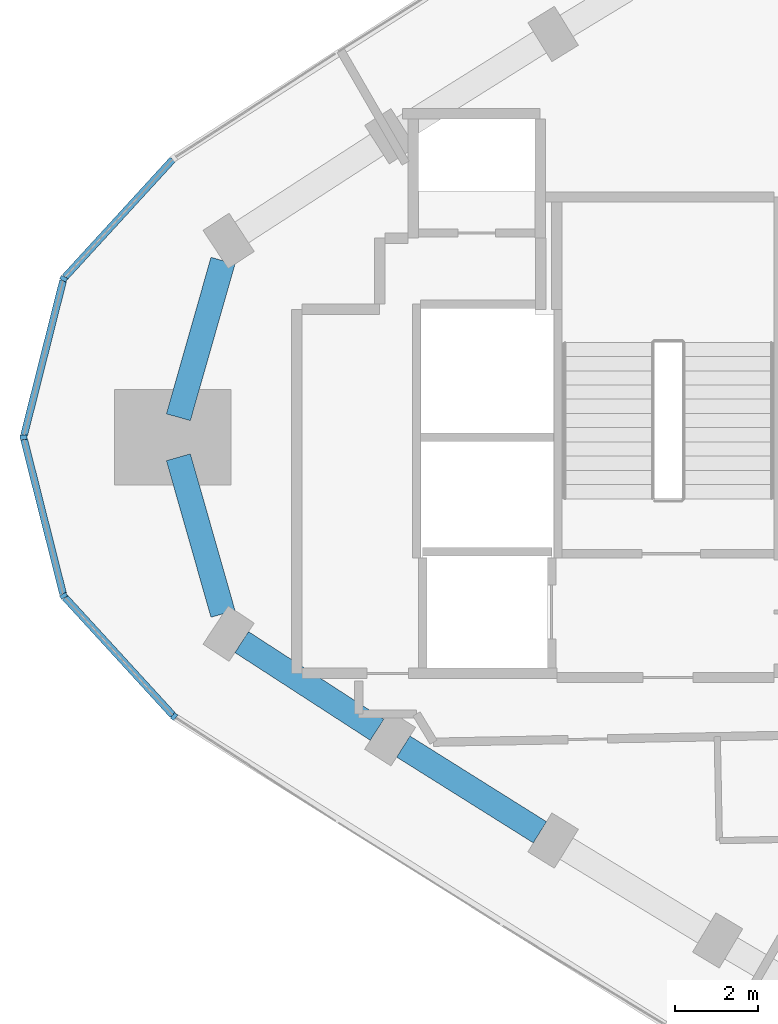
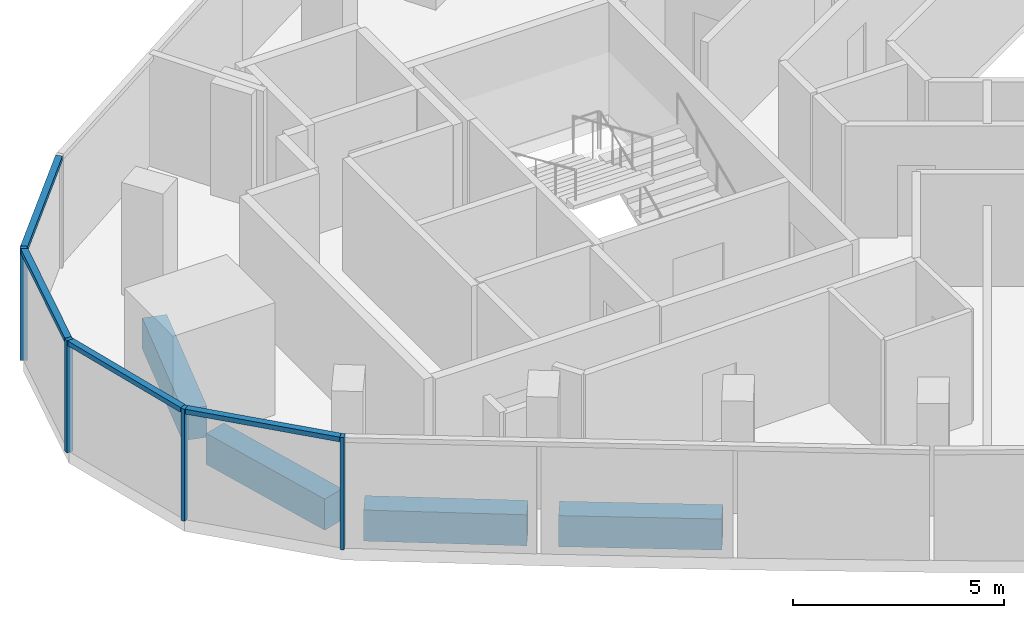
# One storey, part 2 of 11: 8 members, 4 beams, 2 elements without a shape of their own.
"""IFC4 building model written with IfcOpenShell, lengths in metres."""

import ifcopenshell
import ifcopenshell.guid

model = None  # the IFC model being written
_history = None  # IfcOwnerHistory: only IFC2X3 demands one
_inside = {}  # id of a spatial element -> (the spatial element, [elements in it])
_under = {}  # id of a project, library or spatial element -> (it, [spatial elements below it])
_declared = {}  # id of a project -> (the project, [libraries it declares])
_typed = {}  # id of a type object -> (the type object, [elements of that type])
_made_of = {}  # id of a material, layer set ... -> (it, [elements and type objects made of it])


def new_model(schema):
    """Start an empty IFC model of exactly this schema.

    Asked for "IFC4X3", IfcOpenShell would pick the latest addendum, in which some entities
    have other attributes; the version numbers below select the first issue.
    IFC2X3 requires an IfcOwnerHistory on every rooted entity: one is made here for all.
    """
    global model, _history
    if schema == "IFC4X3":
        model = ifcopenshell.file(schema_version=(4, 3, 0, 0))
    else:
        model = ifcopenshell.file(schema=schema)
    _inside.clear()
    _under.clear()
    _declared.clear()
    _typed.clear()
    _made_of.clear()
    _history = None
    if model.schema == "IFC2X3":
        org = make("IfcOrganization", Name="unknown")
        user = make(
            "IfcPersonAndOrganization",
            ThePerson=make("IfcPerson", FamilyName="unknown"),
            TheOrganization=org,
        )
        app = make(
            "IfcApplication",
            ApplicationDeveloper=org,
            Version="unknown",
            ApplicationFullName="unknown",
            ApplicationIdentifier="unknown",
        )
        _history = make(
            "IfcOwnerHistory",
            OwningUser=user,
            OwningApplication=app,
            ChangeAction="ADDED",
            CreationDate=0,
        )
    return model


def make(cls, **values):
    """One entity of the class cls with the attributes given. An attribute that is None is left unset."""
    return model.create_entity(
        cls, **{name: value for name, value in values.items() if value is not None}
    )


def rooted(cls, **values):
    """An entity with a GlobalId (a new one), such as an element, a storey or a relation."""
    return make(cls, GlobalId=ifcopenshell.guid.new(), OwnerHistory=_history, **values)


def si_unit(unit_type, name, prefix=None):
    """IfcSIUnit, for example si_unit("LENGTHUNIT", "METRE", prefix="MILLI")."""
    return make("IfcSIUnit", UnitType=unit_type, Prefix=prefix, Name=name)


def assignment(units):
    """IfcUnitAssignment: the units of a project."""
    return None if units is None else make("IfcUnitAssignment", Units=units)


def point(xyz):
    """IfcCartesianPoint."""
    return None if xyz is None else make("IfcCartesianPoint", Coordinates=xyz)


def direction(xyz):
    """IfcDirection."""
    return None if xyz is None else make("IfcDirection", DirectionRatios=xyz)


def frame(location, z_axis=None, x_axis=None):
    """IfcAxis2Placement3D, a coordinate frame: its origin and axes. An axis left out is left unset."""
    return make(
        "IfcAxis2Placement3D",
        Location=point(location),
        Axis=direction(z_axis),
        RefDirection=direction(x_axis),
    )


def frame_2d(location, x_axis=None):
    """IfcAxis2Placement2D, a coordinate frame in the plane: its origin and x axis."""
    return make(
        "IfcAxis2Placement2D", Location=point(location), RefDirection=direction(x_axis)
    )


def origin():
    """The frame at (0, 0, 0) with its axes left unset."""
    return frame((0.0, 0.0, 0.0))


def origin_2d():
    """The frame at (0, 0) in the plane with its x axis left unset."""
    return frame_2d((0.0, 0.0))


def place(relative_to, where):
    """IfcLocalPlacement: puts the frame where relative to a parent placement (None: the world)."""
    return make(
        "IfcLocalPlacement", PlacementRelTo=relative_to, RelativePlacement=where
    )


def context(
    kind, dimensions, precision=None, world=None, true_north=None, identifier=None
):
    """IfcGeometricRepresentationContext, for example the 3D "Model" context."""
    return make(
        "IfcGeometricRepresentationContext",
        ContextIdentifier=identifier,
        ContextType=kind,
        CoordinateSpaceDimension=dimensions,
        Precision=precision,
        WorldCoordinateSystem=world,
        TrueNorth=true_north,
    )


def subcontext(parent, identifier, kind, view, scale=None):
    """IfcGeometricRepresentationSubContext, for example "Body" below "Model"."""
    return make(
        "IfcGeometricRepresentationSubContext",
        ContextIdentifier=identifier,
        ContextType=kind,
        ParentContext=parent,
        TargetScale=scale,
        TargetView=view,
    )


def project(units=None, contexts=None):
    """IfcProject with its units and contexts."""
    return rooted(
        "IfcProject",
        Name="project",
        RepresentationContexts=contexts,
        UnitsInContext=assignment(units),
    )


def spatial(cls, under=None, at=None, **own):
    """A site, building, storey or space (cls), placed at a placement, below another one or the project."""
    s = rooted(cls, ObjectPlacement=at, **own)
    if under is not None:
        _under.setdefault(under.id(), (under, []))[1].append(s)
    return s


def profile(cls, at=None, kind="AREA", **sizes):
    """A parametric profile (cls). Its sizes go by their IFC names, for example OverallWidth=200.0."""
    return make(cls, ProfileType=kind, Position=at, **sizes)


def rectangle(**sizes):
    """IfcRectangleProfileDef."""
    return profile("IfcRectangleProfileDef", **sizes)


def extrude(swept, where, along, depth):
    """IfcExtrudedAreaSolid: the profile swept, set in the frame where, extruded along a direction by depth."""
    return make(
        "IfcExtrudedAreaSolid",
        SweptArea=swept,
        Position=where,
        ExtrudedDirection=direction(along),
        Depth=depth,
    )


def shape(context_of_items, identifier, shape_type, items):
    """IfcShapeRepresentation: the items that make up one representation, for example the "Body"."""
    return make(
        "IfcShapeRepresentation",
        ContextOfItems=context_of_items,
        RepresentationIdentifier=identifier,
        RepresentationType=shape_type,
        Items=items,
    )


def material(Name=None, Category=None):
    """IfcMaterial."""
    return make("IfcMaterial", Name=Name, Category=Category)


def material_profile(
    of_material, cross_section, Name=None, Category=None, Priority=None
):
    """IfcMaterialProfile: a cross section and its material."""
    return make(
        "IfcMaterialProfile",
        Name=Name,
        Material=of_material,
        Profile=cross_section,
        Priority=Priority,
        Category=Category,
    )


def profile_set(profiles, Name=None, composite=None):
    """IfcMaterialProfileSet."""
    return make(
        "IfcMaterialProfileSet",
        Name=Name,
        MaterialProfiles=profiles,
        CompositeProfile=composite,
    )


def made_of(thing, what):
    """Note that an element or type object is made of a material, layer set ...; save() writes the relation."""
    if what is not None:
        _made_of.setdefault(what.id(), (what, []))[1].append(thing)
    return thing


def type_object(cls, material=None, **own):
    """A type object (cls), such as IfcWallType, which elements share."""
    return made_of(rooted(cls, **own), material)


def element(
    cls,
    number,
    at=None,
    inside=None,
    cuts=None,
    type_object=None,
    material=None,
    context=None,
    identifier="Body",
    shape_type=None,
    held_by="IfcProductDefinitionShape",
    body=None,
    shapes=None,
    **own,
):
    """One element of the class cls, such as IfcWall. Its Tag is "e" and its number.

    at: its placement. inside: the storey or other place that contains it. cuts: it is an
    opening in that element (IfcRelVoidsElement). A single representation is given by context,
    identifier, shape_type and body (its items); several are given by shapes. held_by: the class
    of the entity that holds the representations. save() writes the other relations.
    """
    e = rooted(cls, Tag="e%d" % number, ObjectPlacement=at, **own)
    if body is not None:
        shapes = [shape(context, identifier, shape_type, body)]
    if shapes is not None:
        e.Representation = make(held_by, Representations=shapes)
    if inside is not None:
        _inside.setdefault(inside.id(), (inside, []))[1].append(e)
    if cuts is not None:
        rooted(
            "IfcRelVoidsElement", RelatingBuildingElement=cuts, RelatedOpeningElement=e
        )
    if type_object is not None:
        _typed.setdefault(type_object.id(), (type_object, []))[1].append(e)
    return made_of(e, material)


def aggregate(whole, parts):
    """IfcRelAggregates: a whole, such as a stair, and the parts it consists of."""
    return rooted("IfcRelAggregates", RelatingObject=whole, RelatedObjects=parts)


def save(model, path):
    """Write the relations noted so far, then the file.

    IfcRelAggregates (storeys below a building ...), IfcRelContainedInSpatialStructure (elements
    in a storey), IfcRelDefinesByType, IfcRelAssociatesMaterial and IfcRelDeclares: one each for
    every whole, place, type object, material and project.
    """
    for whole, parts in _under.values():
        aggregate(whole, parts)
    for where, things in _inside.values():
        rooted(
            "IfcRelContainedInSpatialStructure",
            RelatedElements=things,
            RelatingStructure=where,
        )
    for kind, things in _typed.values():
        rooted("IfcRelDefinesByType", RelatedObjects=things, RelatingType=kind)
    for what, things in _made_of.values():
        rooted("IfcRelAssociatesMaterial", RelatedObjects=things, RelatingMaterial=what)
    for by, libraries in _declared.values():
        rooted("IfcRelDeclares", RelatingContext=by, RelatedDefinitions=libraries)
    model.write(path)


model = new_model("IFC4")

# Units and contexts
model_context = context("Model", 3, precision=1e-05, world=origin(), true_north=direction((0.0, 1.0)))
body_context = subcontext(model_context, "Body", "Model", "MODEL_VIEW")
ifc_project = project(units=[si_unit("LENGTHUNIT", "METRE"), si_unit("AREAUNIT", "SQUARE_METRE"), si_unit("VOLUMEUNIT", "CUBIC_METRE"), si_unit("PLANEANGLEUNIT", "RADIAN"), si_unit("MASSUNIT", "GRAM", prefix="KILO")], contexts=[model_context])

# Site, building, storey
site_placement = place(None, origin())
site = spatial("IfcSite", under=ifc_project, at=site_placement, CompositionType="ELEMENT")
building_placement = place(site_placement, origin())
building = spatial("IfcBuilding", under=site, at=building_placement, Name="Tamra Quay Hotel Tower", CompositionType="ELEMENT")
storey_placement = place(building_placement, frame((0.0, 0.0, 235.800048828125)))
storey = spatial("IfcBuildingStorey", under=building, at=storey_placement, Name="L59", CompositionType="ELEMENT", Elevation=235.800048828125)

# Curtain wall, members
ifc_material_1 = material(Name="Aluminium 6063 anodised dark grey", Category="aluminium")
curtain_wall_type_1 = type_object("IfcCurtainWallType", Name="CW2 CURTAIN WALL", PredefinedType="NOTDEFINED", material=ifc_material_1)
curtain_wall_1_placement = place(storey_placement, origin())
curtain_wall_1 = element("IfcCurtainWall", 1, at=curtain_wall_1_placement, inside=storey, type_object=curtain_wall_type_1, Name="CW2 north-west face L59", PredefinedType="NOTDEFINED")
ifc_material_profile_1 = material_profile(ifc_material_1, rectangle(XDim=0.169921875, YDim=0.10009765625, at=origin_2d()), Name="MULLION 100X170")
ifc_profile_set_1 = profile_set([ifc_material_profile_1], Name="Aluminium 6063 anodised dark grey")
member_type_1 = type_object("IfcMemberType", Name="MULLION CW2 Z5", PredefinedType="MULLION", material=ifc_profile_set_1)
member_1_placement = place(storey_placement, frame((-28.0439453125, 3.812744140625, 0.0), z_axis=(0.0, 0.0, 1.0), x_axis=(-0.880266804781, 0.474479032624, 0.0)))
member_1 = element("IfcMember", 2, at=member_1_placement, type_object=member_type_1, Name="CW2 mullion L59.NW.10", PredefinedType="MULLION", context=body_context, shape_type="SweptSolid", body=[
    extrude(rectangle(XDim=0.169921875, YDim=0.10009765625, at=origin_2d()), origin(), (0.0, 0.0, 1.0), 3.25),
])
member_2_placement = place(storey_placement, frame((-29.006103515625, 0.0, 0.0), z_axis=(0.0, 0.0, 1.0), x_axis=(-1.0, 0.0, 0.0)))
member_2 = element("IfcMember", 3, at=member_2_placement, type_object=member_type_1, Name="CW2 mullion L59.NW.11", PredefinedType="MULLION", context=body_context, shape_type="SweptSolid", body=[
    extrude(rectangle(XDim=0.169921875, YDim=0.10009765625, at=origin_2d()), origin(), (0.0, 0.0, 1.0), 3.25),
])
member_3_placement = place(storey_placement, frame((-28.0439453125, -3.812744140625, 0.0), z_axis=(0.0, 0.0, 1.0), x_axis=(-0.880266804781, -0.474479032624, 0.0)))
member_3 = element("IfcMember", 4, at=member_3_placement, type_object=member_type_1, Name="CW2 mullion L59.NW.12", PredefinedType="MULLION", context=body_context, shape_type="SweptSolid", body=[
    extrude(rectangle(XDim=0.169921875, YDim=0.10009765625, at=origin_2d()), origin(), (0.0, 0.0, 1.0), 3.25),
])

# Curtain wall, member
curtain_wall_type_2 = type_object("IfcCurtainWallType", Name="CW3 CURTAIN WALL", PredefinedType="NOTDEFINED", material=ifc_material_1)
curtain_wall_2_placement = place(storey_placement, origin())
curtain_wall_2 = element("IfcCurtainWall", 5, at=curtain_wall_2_placement, inside=storey, type_object=curtain_wall_type_2, Name="CW3 south-west face L59", PredefinedType="NOTDEFINED")
ifc_material_profile_2 = material_profile(ifc_material_1, rectangle(XDim=0.169921875, YDim=0.10009765625, at=origin_2d()), Name="MULLION 100X170")
ifc_profile_set_2 = profile_set([ifc_material_profile_2], Name="Aluminium 6063 anodised dark grey")
member_type_2 = type_object("IfcMemberType", Name="MULLION CW3 Z5", PredefinedType="MULLION", material=ifc_profile_set_2)
member_4_placement = place(storey_placement, frame((-25.387939453125, -6.712646484375, 0.0), z_axis=(0.0, 0.0, 1.0), x_axis=(-0.64584626761, -0.763467483665, 0.0)))
member_4 = element("IfcMember", 6, at=member_4_placement, type_object=member_type_2, Name="CW3 mullion L59.SW.1", PredefinedType="MULLION", context=body_context, shape_type="SweptSolid", body=[
    extrude(rectangle(XDim=0.169921875, YDim=0.10009765625, at=origin_2d()), origin(), (0.0, 0.0, 1.0), 3.25),
])
aggregate(curtain_wall_2, [member_4])

# Beams
ifc_material_2 = material(Name="Concrete M60", Category="concrete")
ifc_material_profile_3 = material_profile(ifc_material_2, rectangle(XDim=0.60009765625, YDim=0.89990234375, at=origin_2d()), Name="SPANDREL BEAM RC 600x900")
ifc_profile_set_3 = profile_set([ifc_material_profile_3], Name="Concrete M60")
beam_type = type_object("IfcBeamType", Name="SPANDREL BEAM RC 600x900", PredefinedType="SPANDREL", material=ifc_profile_set_3)
for number, where, z_axis, x_axis, name in (
    (7, (-24.2119140625, 4.24365234375, -0.800048828125), (-0.273913429616, -0.961754351732, 0.0), (0.961754351732, -0.273913429616, 0.0), "BM-SP5-018-L59"),
    (8, (-25.28369140625, -0.48046875, -0.800048828125), (0.273913429616, -0.961754351732, 0.0), (0.961754351732, 0.273913429616, 0.0), "BM-SP5-019-L59"),
):
    element("IfcBeam", number, at=place(storey_placement, frame(where, z_axis=z_axis, x_axis=x_axis)), inside=storey, type_object=beam_type, Name=name, PredefinedType="SPANDREL", context=body_context, shape_type="SweptSolid", body=[
        extrude(rectangle(XDim=0.60009765625, YDim=0.89990234375, at=origin_2d()), origin(), (0.0, 0.0, 1.0), 3.912841796875),
    ])
beam_1_placement = place(storey_placement, frame((-23.76171875, -4.923583984375, -0.800048828125), z_axis=(0.839181205466, -0.543851914029, 0.0), x_axis=(0.543851914029, 0.839181205466, 0.0)))
element("IfcBeam", 9, at=beam_1_placement, inside=storey, type_object=beam_type, Name="BM-SP5-020-L59", PredefinedType="SPANDREL", context=body_context, shape_type="SweptSolid", body=[
    extrude(rectangle(XDim=0.60009765625, YDim=0.89990234375, at=origin_2d()), origin(), (0.0, 0.0, 1.0), 3.87548828125),
])
beam_2_placement = place(storey_placement, frame((-19.877197265625, -7.4345703125, -0.800048828125), z_axis=(0.847066119134, -0.53148752555, 0.0), x_axis=(0.53148752555, 0.847066119134, 0.0)))
element("IfcBeam", 10, at=beam_2_placement, inside=storey, type_object=beam_type, Name="BM-SP5-021-L59", PredefinedType="SPANDREL", context=body_context, shape_type="SweptSolid", body=[
    extrude(rectangle(XDim=0.60009765625, YDim=0.89990234375, at=origin_2d()), origin(), (0.0, 0.0, 1.0), 3.875),
])

# Member
ifc_material_profile_4 = material_profile(ifc_material_1, rectangle(XDim=0.169921875, YDim=0.139892578125, at=origin_2d()), Name="TRANSOM 170X140")
ifc_profile_set_4 = profile_set([ifc_material_profile_4], Name="Aluminium 6063 anodised dark grey")
member_type_3 = type_object("IfcMemberType", Name="TRANSOM CW2 Z5", PredefinedType="USERDEFINED", material=ifc_profile_set_4)
member_5_placement = place(storey_placement, frame((-25.421630859375, 6.67578125, 3.179931640625), z_axis=(-0.675436113267, -0.737418508647, 0.0), x_axis=(0.737418508647, -0.675436113267, 0.0)))
member_5 = element("IfcMember", 11, at=member_5_placement, type_object=member_type_3, Name="CW2 transom L59.NW.9", ObjectType="TRANSOM", PredefinedType="USERDEFINED", context=body_context, shape_type="SweptSolid", body=[
    extrude(rectangle(XDim=0.169921875, YDim=0.139892578125, at=origin_2d()), origin(), (0.0, 0.0, 1.0), 3.83251953125),
])

member_6_placement = place(storey_placement, frame((-28.05615234375, 3.764404296875, 3.179931640625), z_axis=(-0.244693523111, -0.969600474292, 0.0), x_axis=(0.969600474292, -0.244693523111, 0.0)))
member_6 = element("IfcMember", 12, at=member_6_placement, type_object=member_type_3, Name="CW2 transom L59.NW.10", ObjectType="TRANSOM", PredefinedType="USERDEFINED", context=body_context, shape_type="SweptSolid", body=[
    extrude(rectangle(XDim=0.169921875, YDim=0.139892578125, at=origin_2d()), origin(), (0.0, 0.0, 1.0), 3.832275390625),
])

member_7_placement = place(storey_placement, frame((-28.993896484375, -0.048583984375, 3.179931640625), z_axis=(0.244693523111, -0.969600474292, 0.0), x_axis=(0.969600474292, 0.244693523111, 0.0)))
member_7 = element("IfcMember", 13, at=member_7_placement, type_object=member_type_3, Name="CW2 transom L59.NW.11", ObjectType="TRANSOM", PredefinedType="USERDEFINED", context=body_context, shape_type="SweptSolid", body=[
    extrude(rectangle(XDim=0.169921875, YDim=0.139892578125, at=origin_2d()), origin(), (0.0, 0.0, 1.0), 3.832275390625),
])

member_8_placement = place(storey_placement, frame((-28.01025390625, -3.849609375, 3.179931640625), z_axis=(0.675436113267, -0.737418508647, 0.0), x_axis=(0.737418508647, 0.675436113267, 0.0)))
member_8 = element("IfcMember", 14, at=member_8_placement, type_object=member_type_3, Name="CW2 transom L59.NW.12", ObjectType="TRANSOM", PredefinedType="USERDEFINED", context=body_context, shape_type="SweptSolid", body=[
    extrude(rectangle(XDim=0.169921875, YDim=0.139892578125, at=origin_2d()), origin(), (0.0, 0.0, 1.0), 3.83251953125),
])

aggregate(curtain_wall_1, [member_5, member_1, member_6, member_2, member_7, member_3, member_8])

save(model, "model.ifc")
